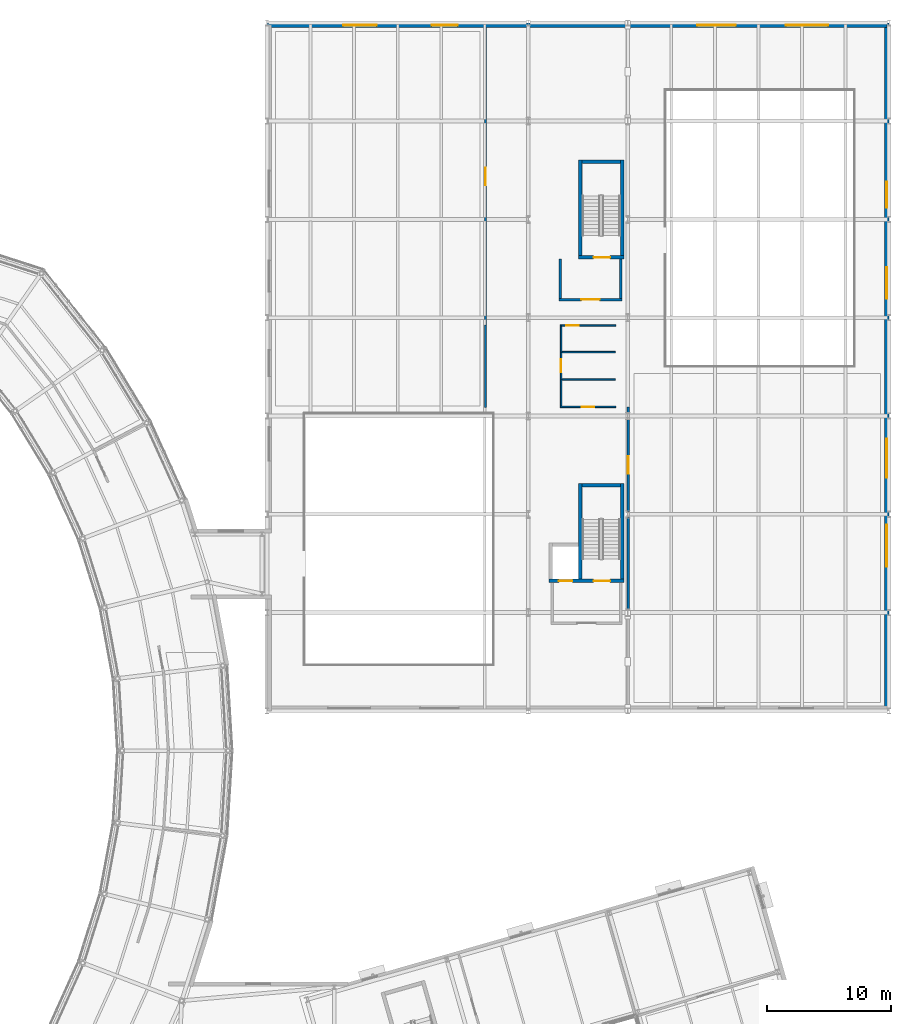
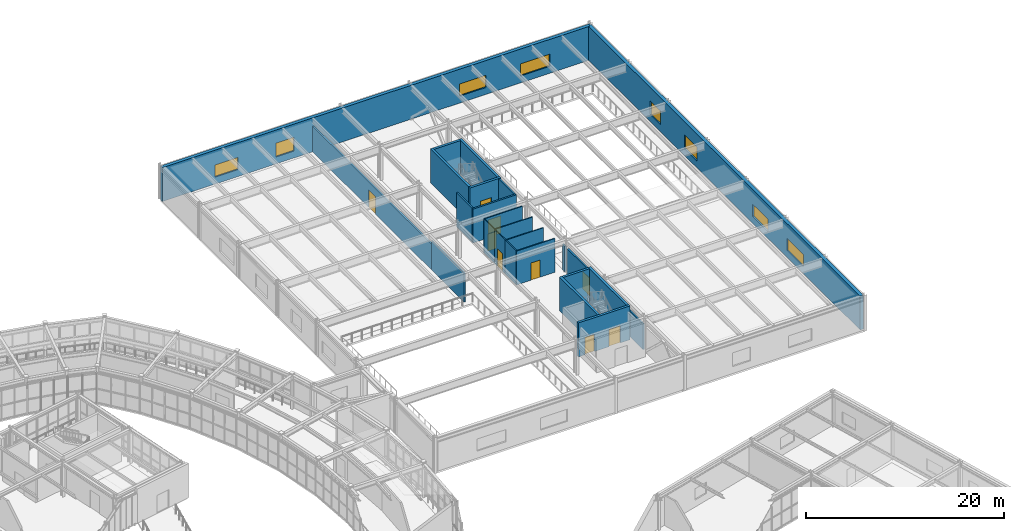
# One storey, part 83 of 103: 25 walls, 9 doors, 8 windows, 17 openings.
"""IFC4 building model written with IfcOpenShell, lengths in metres."""

from ifc_helpers import new_model, si_unit, direction, frame, frame_2d, origin, place, context, subcontext, project, spatial, rectangle, extrude, material, layer, layer_set, type_object, element, fill, save


model = new_model("IFC4")

# Units and contexts
model_context = context("Model", 3, precision=1e-05, world=origin(), true_north=direction((0.0, 1.0)))
body_context = subcontext(model_context, "Body", "Model", "MODEL_VIEW")
ifc_project = project(units=[si_unit("LENGTHUNIT", "METRE"), si_unit("AREAUNIT", "SQUARE_METRE"), si_unit("VOLUMEUNIT", "CUBIC_METRE"), si_unit("PLANEANGLEUNIT", "RADIAN"), si_unit("MASSUNIT", "GRAM", prefix="KILO")], contexts=[model_context])

# Site, building, storey
site_placement = place(None, origin())
site = spatial("IfcSite", under=ifc_project, at=site_placement, CompositionType="ELEMENT")
building_placement = place(site_placement, origin())
building = spatial("IfcBuilding", under=site, at=building_placement, Name="Varnklinge Art Gallery", CompositionType="ELEMENT")
storey_placement = place(building_placement, frame((0.0, 0.0, 5.10009765625)))
storey = spatial("IfcBuildingStorey", under=building, at=storey_placement, Name="L01", CompositionType="ELEMENT", Elevation=5.10009765625)

# Wall, openings, windows
ifc_material_1 = material(Name="Concrete C40/50", Category="concrete")
ifc_layer_1 = layer(ifc_material_1, 0.3798828125)
ifc_layer_set_1 = layer_set([ifc_layer_1], Name="Concrete C40/50")
wall_type_1 = type_object("IfcWallType", Name="EW-38", PredefinedType="SOLIDWALL", material=ifc_layer_set_1)
wall_1_placement = place(storey_placement, frame((114.39990234375, 113.31005859375, 0.0), z_axis=(0.0, 0.0, 1.0), x_axis=(1.0, 0.0, 0.0)))
wall_1 = element("IfcWall", 1, at=wall_1_placement, inside=storey, type_object=wall_type_1, Name="L01 Exterior Wall EW-V1-L01-03", PredefinedType="SOLIDWALL", context=body_context, shape_type="SweptSolid", body=[
    extrude(rectangle(XDim=49.81005859375, YDim=0.3798828125, at=frame_2d((24.905029296875, 0.0))), origin(), (0.0, 0.0, 1.0), 4.169921875),
])
opening_1_placement = place(wall_1_placement, frame((6.11572265625, 0.0, 0.85009765625)))
opening_1 = element("IfcOpeningElement", 2, at=opening_1_placement, cuts=wall_1, Name="Opening WN-08", PredefinedType="OPENING", context=body_context, shape_type="SweptSolid", body=[
    extrude(rectangle(XDim=2.699951171875, YDim=1.5, at=frame_2d((1.35009765625, 0.75))), frame((0.0, 0.199951171875, 0.0), z_axis=(0.0, -1.0, 0.0), x_axis=(1.0, 0.0, 0.0)), (0.0, 0.0, 1.0), 0.39990234375),
])
opening_2_placement = place(wall_1_placement, frame((13.2314453125, 0.0, 0.85009765625)))
opening_2 = element("IfcOpeningElement", 3, at=opening_2_placement, cuts=wall_1, Name="Opening WN-12", PredefinedType="OPENING", context=body_context, shape_type="SweptSolid", body=[
    extrude(rectangle(XDim=2.10009765625, YDim=1.699951171875, at=frame_2d((1.050048828125, 0.85009765625))), frame((0.0, 0.199951171875, 0.0), z_axis=(0.0, -1.0, 0.0), x_axis=(1.0, 0.0, 0.0)), (0.0, 0.0, 1.0), 0.39990234375),
])
opening_3_placement = place(wall_1_placement, frame((34.57861328125, 0.0, 0.85009765625)))
opening_3 = element("IfcOpeningElement", 4, at=opening_3_placement, cuts=wall_1, Name="Opening WN-19", PredefinedType="OPENING", context=body_context, shape_type="SweptSolid", body=[
    extrude(rectangle(XDim=3.10009765625, YDim=1.5, at=frame_2d((1.550048828125, 0.75))), frame((0.0, 0.199951171875, 0.0), z_axis=(0.0, -1.0, 0.0), x_axis=(1.0, 0.0, 0.0)), (0.0, 0.0, 1.0), 0.39990234375),
])
opening_4_placement = place(wall_1_placement, frame((41.6943359375, 0.0, 0.85009765625)))
opening_4 = element("IfcOpeningElement", 5, at=opening_4_placement, cuts=wall_1, Name="Opening WN-20", PredefinedType="OPENING", context=body_context, shape_type="SweptSolid", body=[
    extrude(rectangle(XDim=3.39990234375, YDim=1.5, at=frame_2d((1.699951171875, 0.75))), frame((0.0, 0.199951171875, 0.0), z_axis=(0.0, -1.0, 0.0), x_axis=(1.0, 0.0, 0.0)), (0.0, 0.0, 1.0), 0.39990234375),
])
ifc_material_2 = material(Name="Insulated Low-E Triple Glazing", Category="glass")
window_type_1 = type_object("IfcWindowType", Name="WN-08", PartitioningType="SINGLE_PANEL", PredefinedType="WINDOW", material=ifc_material_2)
window_1_placement = place(opening_1_placement, origin())
window_1 = element("IfcWindow", 6, at=window_1_placement, inside=storey, type_object=window_type_1, Name="L01 Window WIN-L01-017", OverallHeight=1.5, OverallWidth=2.699951171875, PartitioningType="SINGLE_PANEL", PredefinedType="WINDOW", context=body_context, shape_type="SweptSolid", body=[
    extrude(rectangle(XDim=2.699951171875, YDim=1.5, at=frame_2d((1.35009765625, 0.75))), frame((0.0, 0.030029296875, 0.0), z_axis=(0.0, -1.0, 0.0), x_axis=(1.0, 0.0, 0.0)), (0.0, 0.0, 1.0), 0.06005859375),
])
fill(opening_1, window_1)
ifc_material_3 = material(Name="Insulated Low-E Triple Glazing", Category="glass")
window_type_2 = type_object("IfcWindowType", Name="WN-12", PartitioningType="SINGLE_PANEL", PredefinedType="WINDOW", material=ifc_material_3)
window_2_placement = place(opening_2_placement, origin())
window_2 = element("IfcWindow", 7, at=window_2_placement, inside=storey, type_object=window_type_2, Name="L01 Window WIN-L01-018", OverallHeight=1.699951171875, OverallWidth=2.10009765625, PartitioningType="SINGLE_PANEL", PredefinedType="WINDOW", context=body_context, shape_type="SweptSolid", body=[
    extrude(rectangle(XDim=2.10009765625, YDim=1.699951171875, at=frame_2d((1.050048828125, 0.85009765625))), frame((0.0, 0.030029296875, 0.0), z_axis=(0.0, -1.0, 0.0), x_axis=(1.0, 0.0, 0.0)), (0.0, 0.0, 1.0), 0.06005859375),
])
fill(opening_2, window_2)
ifc_material_4 = material(Name="Insulated Low-E Triple Glazing", Category="glass")
window_type_3 = type_object("IfcWindowType", Name="WN-19", PartitioningType="SINGLE_PANEL", PredefinedType="WINDOW", material=ifc_material_4)
window_3_placement = place(opening_3_placement, origin())
window_3 = element("IfcWindow", 8, at=window_3_placement, inside=storey, type_object=window_type_3, Name="L01 Window WIN-L01-019", OverallHeight=1.5, OverallWidth=3.10009765625, PartitioningType="SINGLE_PANEL", PredefinedType="WINDOW", context=body_context, shape_type="SweptSolid", body=[
    extrude(rectangle(XDim=3.10009765625, YDim=1.5, at=frame_2d((1.550048828125, 0.75))), frame((0.0, 0.030029296875, 0.0), z_axis=(0.0, -1.0, 0.0), x_axis=(1.0, 0.0, 0.0)), (0.0, 0.0, 1.0), 0.06005859375),
])
fill(opening_3, window_3)
ifc_material_5 = material(Name="Insulated Low-E Triple Glazing", Category="glass")
window_type_4 = type_object("IfcWindowType", Name="WN-20", PartitioningType="SINGLE_PANEL", PredefinedType="WINDOW", material=ifc_material_5)
window_4_placement = place(opening_4_placement, origin())
window_4 = element("IfcWindow", 9, at=window_4_placement, inside=storey, type_object=window_type_4, Name="L01 Window WIN-L01-020", OverallHeight=1.5, OverallWidth=3.39990234375, PartitioningType="SINGLE_PANEL", PredefinedType="WINDOW", context=body_context, shape_type="SweptSolid", body=[
    extrude(rectangle(XDim=3.39990234375, YDim=1.5, at=frame_2d((1.699951171875, 0.75))), frame((0.0, 0.030029296875, 0.0), z_axis=(0.0, -1.0, 0.0), x_axis=(1.0, 0.0, 0.0)), (0.0, 0.0, 1.0), 0.06005859375),
])
fill(opening_4, window_4)

wall_2_placement = place(storey_placement, frame((164.2099609375, 113.5, 0.0), z_axis=(0.0, 0.0, 1.0), x_axis=(0.0, -1.0, 0.0)))
wall_2 = element("IfcWall", 10, at=wall_2_placement, inside=storey, type_object=wall_type_1, Name="L01 Exterior Wall EW-V1-L01-04", PredefinedType="SOLIDWALL", context=body_context, shape_type="SweptSolid", body=[
    extrude(rectangle(XDim=55.110107421875, YDim=0.3798828125, at=frame_2d((27.55517578125, 0.0))), origin(), (0.0, 0.0, 1.0), 4.169921875),
])
opening_5_placement = place(wall_2_placement, frame((12.777587890625, 0.0, 0.85009765625)))
opening_5 = element("IfcOpeningElement", 11, at=opening_5_placement, cuts=wall_2, Name="Opening WN-12", PredefinedType="OPENING", context=body_context, shape_type="SweptSolid", body=[
    extrude(rectangle(XDim=2.10009765625, YDim=1.699951171875, at=frame_2d((1.050048828125, 0.85009765625))), frame((0.0, 0.199951171875, 0.0), z_axis=(0.0, -1.0, 0.0), x_axis=(1.0, 0.0, 0.0)), (0.0, 0.0, 1.0), 0.39990234375),
])
opening_6_placement = place(wall_2_placement, frame((19.666259765625, 0.0, 0.85009765625)))
opening_6 = element("IfcOpeningElement", 12, at=opening_6_placement, cuts=wall_2, Name="Opening WN-13", PredefinedType="OPENING", context=body_context, shape_type="SweptSolid", body=[
    extrude(rectangle(XDim=2.5, YDim=1.699951171875, at=frame_2d((1.25, 0.85009765625))), frame((0.0, 0.199951171875, 0.0), z_axis=(0.0, -1.0, 0.0), x_axis=(1.0, 0.0, 0.0)), (0.0, 0.0, 1.0), 0.39990234375),
])
opening_7_placement = place(wall_2_placement, frame((33.44384765625, 0.0, 0.85009765625)))
opening_7 = element("IfcOpeningElement", 13, at=opening_7_placement, cuts=wall_2, Name="Opening WN-19", PredefinedType="OPENING", context=body_context, shape_type="SweptSolid", body=[
    extrude(rectangle(XDim=3.10009765625, YDim=1.5, at=frame_2d((1.550048828125, 0.75))), frame((0.0, 0.199951171875, 0.0), z_axis=(0.0, -1.0, 0.0), x_axis=(1.0, 0.0, 0.0)), (0.0, 0.0, 1.0), 0.39990234375),
])
opening_8_placement = place(wall_2_placement, frame((40.33251953125, 0.0, 0.85009765625)))
opening_8 = element("IfcOpeningElement", 14, at=opening_8_placement, cuts=wall_2, Name="Opening WN-20", PredefinedType="OPENING", context=body_context, shape_type="SweptSolid", body=[
    extrude(rectangle(XDim=3.39990234375, YDim=1.5, at=frame_2d((1.699951171875, 0.75))), frame((0.0, 0.199951171875, 0.0), z_axis=(0.0, -1.0, 0.0), x_axis=(1.0, 0.0, 0.0)), (0.0, 0.0, 1.0), 0.39990234375),
])
window_5_placement = place(opening_5_placement, origin())
window_5 = element("IfcWindow", 15, at=window_5_placement, inside=storey, type_object=window_type_2, Name="L01 Window WIN-L01-021", OverallHeight=1.699951171875, OverallWidth=2.10009765625, PartitioningType="SINGLE_PANEL", PredefinedType="WINDOW", context=body_context, shape_type="SweptSolid", body=[
    extrude(rectangle(XDim=2.10009765625, YDim=1.699951171875, at=frame_2d((1.050048828125, 0.85009765625))), frame((0.0, 0.030029296875, 0.0), z_axis=(0.0, -1.0, 0.0), x_axis=(1.0, 0.0, 0.0)), (0.0, 0.0, 1.0), 0.06005859375),
])
fill(opening_5, window_5)
ifc_material_6 = material(Name="Insulated Low-E Triple Glazing", Category="glass")
window_type_5 = type_object("IfcWindowType", Name="WN-13", PartitioningType="SINGLE_PANEL", PredefinedType="WINDOW", material=ifc_material_6)
window_6_placement = place(opening_6_placement, origin())
window_6 = element("IfcWindow", 16, at=window_6_placement, inside=storey, type_object=window_type_5, Name="L01 Window WIN-L01-022", OverallHeight=1.699951171875, OverallWidth=2.5, PartitioningType="SINGLE_PANEL", PredefinedType="WINDOW", context=body_context, shape_type="SweptSolid", body=[
    extrude(rectangle(XDim=2.5, YDim=1.699951171875, at=frame_2d((1.25, 0.85009765625))), frame((0.0, 0.030029296875, 0.0), z_axis=(0.0, -1.0, 0.0), x_axis=(1.0, 0.0, 0.0)), (0.0, 0.0, 1.0), 0.06005859375),
])
fill(opening_6, window_6)
window_7_placement = place(opening_7_placement, origin())
window_7 = element("IfcWindow", 17, at=window_7_placement, inside=storey, type_object=window_type_3, Name="L01 Window WIN-L01-023", OverallHeight=1.5, OverallWidth=3.10009765625, PartitioningType="SINGLE_PANEL", PredefinedType="WINDOW", context=body_context, shape_type="SweptSolid", body=[
    extrude(rectangle(XDim=3.10009765625, YDim=1.5, at=frame_2d((1.550048828125, 0.75))), frame((0.0, 0.030029296875, 0.0), z_axis=(0.0, -1.0, 0.0), x_axis=(1.0, 0.0, 0.0)), (0.0, 0.0, 1.0), 0.06005859375),
])
fill(opening_7, window_7)
window_8_placement = place(opening_8_placement, origin())
window_8 = element("IfcWindow", 18, at=window_8_placement, inside=storey, type_object=window_type_4, Name="L01 Window WIN-L01-024", OverallHeight=1.5, OverallWidth=3.39990234375, PartitioningType="SINGLE_PANEL", PredefinedType="WINDOW", context=body_context, shape_type="SweptSolid", body=[
    extrude(rectangle(XDim=3.39990234375, YDim=1.5, at=frame_2d((1.699951171875, 0.75))), frame((0.0, 0.030029296875, 0.0), z_axis=(0.0, -1.0, 0.0), x_axis=(1.0, 0.0, 0.0)), (0.0, 0.0, 1.0), 0.06005859375),
])
fill(opening_8, window_8)

# Wall, opening, door
ifc_material_7 = material(Name="Gypsum Board Partition", Category="gypsum")
ifc_layer_2 = layer(ifc_material_7, 0.1201171875)
ifc_layer_set_2 = layer_set([ifc_layer_2], Name="Gypsum Board Partition")
wall_type_2 = type_object("IfcWallType", Name="IW-12", PredefinedType="PARTITIONING", material=ifc_layer_set_2)
wall_3_placement = place(storey_placement, frame((137.969970703125, 82.6298828125, 0.0), z_axis=(0.0, 0.0, 1.0), x_axis=(1.0, 0.0, 0.0)))
wall_3 = element("IfcWall", 19, at=wall_3_placement, inside=storey, type_object=wall_type_2, Name="L01 Partition Wall IW-L01-0159", PredefinedType="PARTITIONING", context=body_context, shape_type="SweptSolid", body=[
    extrude(rectangle(XDim=4.4599609375, YDim=0.1201171875, at=frame_2d((2.22998046875, 0.0))), origin(), (0.0, 0.0, 1.0), 4.159912109375),
])
opening_9_placement = place(wall_3_placement, frame((1.719970703125, 0.0, 0.0)))
opening_9 = element("IfcOpeningElement", 20, at=opening_9_placement, cuts=wall_3, Name="Opening D-L01-178", PredefinedType="OPENING", context=body_context, shape_type="SweptSolid", body=[
    extrude(rectangle(XDim=1.02001953125, YDim=2.1201171875, at=frame_2d((0.510009765625, 1.06005859375))), frame((0.0, 0.070068359375, 0.0), z_axis=(0.0, -1.0, 0.0), x_axis=(1.0, 0.0, 0.0)), (0.0, 0.0, 1.0), 0.14013671875),
])
ifc_material_8 = material(Name="Oak Timber Leaf", Category="wood")
door_type_1 = type_object("IfcDoorType", Name="ID-03", OperationType="SINGLE_SWING_LEFT", PredefinedType="DOOR", material=ifc_material_8)
door_1_placement = place(opening_9_placement, origin())
door_1 = element("IfcDoor", 21, at=door_1_placement, inside=storey, type_object=door_type_1, Name="L01 L01 Accessible WC East Door D-L01-178", OperationType="SINGLE_SWING_RIGHT", OverallHeight=2.1201171875, OverallWidth=1.02001953125, PredefinedType="DOOR", context=body_context, shape_type="SweptSolid", body=[
    extrude(rectangle(XDim=1.02001953125, YDim=2.1201171875, at=frame_2d((0.510009765625, 1.06005859375))), frame((0.0, 0.02490234375, 0.0), z_axis=(0.0, -1.0, 0.0), x_axis=(1.0, 0.0, 0.0)), (0.0, 0.0, 1.0), 0.050048828125),
])
fill(opening_9, door_1)

wall_4_placement = place(storey_placement, frame((142.429931640625, 89.169921875, 0.0), z_axis=(0.0, 0.0, 1.0), x_axis=(-1.0, 0.0, 0.0)))
wall_4 = element("IfcWall", 22, at=wall_4_placement, inside=storey, type_object=wall_type_2, Name="L01 Partition Wall IW-L01-0164", PredefinedType="PARTITIONING", context=body_context, shape_type="SweptSolid", body=[
    extrude(rectangle(XDim=4.4599609375, YDim=0.1201171875, at=frame_2d((2.22998046875, 0.0))), origin(), (0.0, 0.0, 1.0), 4.159912109375),
])
opening_10_placement = place(wall_4_placement, frame((2.96875, 0.0, 0.0)))
opening_10 = element("IfcOpeningElement", 23, at=opening_10_placement, cuts=wall_4, Name="Opening D-L01-180", PredefinedType="OPENING", context=body_context, shape_type="SweptSolid", body=[
    extrude(rectangle(XDim=1.02001953125, YDim=2.1201171875, at=frame_2d((0.510009765625, 1.06005859375))), frame((0.0, 0.070068359375, 0.0), z_axis=(0.0, -1.0, 0.0), x_axis=(1.0, 0.0, 0.0)), (0.0, 0.0, 1.0), 0.14013671875),
])
door_2_placement = place(opening_10_placement, origin())
door_2 = element("IfcDoor", 24, at=door_2_placement, inside=storey, type_object=door_type_1, Name="L01 L01 Public Male Toilet Door D-L01-180", OperationType="SINGLE_SWING_RIGHT", OverallHeight=2.1201171875, OverallWidth=1.02001953125, PredefinedType="DOOR", context=body_context, shape_type="SweptSolid", body=[
    extrude(rectangle(XDim=1.02001953125, YDim=2.1201171875, at=frame_2d((0.510009765625, 1.06005859375))), frame((0.0, 0.02490234375, 0.0), z_axis=(0.0, -1.0, 0.0), x_axis=(1.0, 0.0, 0.0)), (0.0, 0.0, 1.0), 0.050048828125),
])
fill(opening_10, door_2)

# Wall
wall_5_placement = place(storey_placement, frame((138.030029296875, 84.830078125, 0.0), z_axis=(0.0, 0.0, 1.0), x_axis=(0.0, -1.0, 0.0)))
element("IfcWall", 25, at=wall_5_placement, inside=storey, type_object=wall_type_2, Name="L01 Partition Wall IW-L01-0166", PredefinedType="PARTITIONING", context=body_context, shape_type="SweptSolid", body=[
    extrude(rectangle(XDim=2.125, YDim=0.1201171875, at=frame_2d((1.0625, 0.0))), origin(), (0.0, 0.0, 1.0), 4.159912109375),
])

# Wall, opening, door
wall_6_placement = place(storey_placement, frame((138.030029296875, 87.030029296875, 0.0), z_axis=(0.0, 0.0, 1.0), x_axis=(0.0, -1.0, 0.0)))
wall_6 = element("IfcWall", 26, at=wall_6_placement, inside=storey, type_object=wall_type_2, Name="L01 Partition Wall IW-L01-0167", PredefinedType="PARTITIONING", context=body_context, shape_type="SweptSolid", body=[
    extrude(rectangle(XDim=2.199951171875, YDim=0.1201171875, at=frame_2d((1.10009765625, 0.0))), origin(), (0.0, 0.0, 1.0), 4.159912109375),
])
opening_11_placement = place(wall_6_placement, frame((0.590087890625, 0.0, 0.0)))
opening_11 = element("IfcOpeningElement", 27, at=opening_11_placement, cuts=wall_6, Name="Opening D-L01-182", PredefinedType="OPENING", context=body_context, shape_type="SweptSolid", body=[
    extrude(rectangle(XDim=1.02001953125, YDim=2.1201171875, at=frame_2d((0.510009765625, 1.06005859375))), frame((0.0, 0.070068359375, 0.0), z_axis=(0.0, -1.0, 0.0), x_axis=(1.0, 0.0, 0.0)), (0.0, 0.0, 1.0), 0.14013671875),
])
door_3_placement = place(opening_11_placement, origin())
door_3 = element("IfcDoor", 28, at=door_3_placement, inside=storey, type_object=door_type_1, Name="L01 L01 Public Female Toilet Door D-L01-182", OperationType="SINGLE_SWING_RIGHT", OverallHeight=2.1201171875, OverallWidth=1.02001953125, PredefinedType="DOOR", context=body_context, shape_type="SweptSolid", body=[
    extrude(rectangle(XDim=1.02001953125, YDim=2.1201171875, at=frame_2d((0.510009765625, 1.06005859375))), frame((0.0, 0.02490234375, 0.0), z_axis=(0.0, -1.0, 0.0), x_axis=(1.0, 0.0, 0.0)), (0.0, 0.0, 1.0), 0.050048828125),
])
fill(opening_11, door_3)

# Walls
wall_7_placement = place(storey_placement, frame((138.030029296875, 89.094970703125, 0.0), z_axis=(0.0, 0.0, 1.0), x_axis=(0.0, -1.0, 0.0)))
element("IfcWall", 29, at=wall_7_placement, inside=storey, type_object=wall_type_2, Name="L01 Partition Wall IW-L01-0168", PredefinedType="PARTITIONING", context=body_context, shape_type="SweptSolid", body=[
    extrude(rectangle(XDim=2.06494140625, YDim=0.1201171875, at=frame_2d((1.032470703125, 0.0))), origin(), (0.0, 0.0, 1.0), 4.159912109375),
])
for number, where, z_axis, x_axis, name in (
    (30, (138.10498046875, 84.830078125, 0.0), (0.0, 0.0, 1.0), (1.0, 0.0, 0.0), "L01 Partition Wall IW-L01-0238"),
    (31, (138.10498046875, 87.030029296875, 0.0), (0.0, 0.0, 1.0), (1.0, 0.0, 0.0), "L01 Partition Wall IW-L01-0239"),
):
    element("IfcWall", number, at=place(storey_placement, frame(where, z_axis=z_axis, x_axis=x_axis)), inside=storey, type_object=wall_type_2, Name=name, PredefinedType="PARTITIONING", context=body_context, shape_type="SweptSolid", body=[
        extrude(rectangle(XDim=4.294921875, YDim=0.1201171875, at=frame_2d((2.1474609375, 0.0))), origin(), (0.0, 0.0, 1.0), 4.159912109375),
    ])

# Wall, opening, door
ifc_material_9 = material(Name="Gypsum Board Partition", Category="gypsum")
ifc_layer_3 = layer(ifc_material_9, 0.179931640625)
ifc_layer_set_3 = layer_set([ifc_layer_3], Name="Gypsum Board Partition")
wall_type_3 = type_object("IfcWallType", Name="IW-18", PredefinedType="PARTITIONING", material=ifc_layer_set_3)
wall_8_placement = place(storey_placement, frame((143.429931640625, 81.662109375, 0.0), z_axis=(0.0, 0.0, 1.0), x_axis=(0.0, -1.0, 0.0)))
wall_8 = element("IfcWall", 32, at=wall_8_placement, inside=storey, type_object=wall_type_3, Name="L01 Partition Wall IW-L01-0160", PredefinedType="PARTITIONING", context=body_context, shape_type="SweptSolid", body=[
    extrude(rectangle(XDim=7.42431640625, YDim=0.179931640625, at=frame_2d((3.712158203125, 0.0))), origin(), (0.0, 0.0, 1.0), 3.14990234375),
])
opening_12_placement = place(wall_8_placement, frame((3.002197265625, 0.0, 0.0)))
opening_12 = element("IfcOpeningElement", 33, at=opening_12_placement, cuts=wall_8, Name="Opening D-L01-179", PredefinedType="OPENING", context=body_context, shape_type="SweptSolid", body=[
    extrude(rectangle(XDim=1.419921875, YDim=2.179931640625, at=frame_2d((0.7099609375, 1.08984375))), frame((0.0, 0.099853515625, 0.0), z_axis=(0.0, -1.0, 0.0), x_axis=(1.0, 0.0, 0.0)), (0.0, 0.0, 1.0), 0.199951171875),
])
ifc_material_10 = material(Name="Oak Timber Leaf", Category="wood")
door_type_2 = type_object("IfcDoorType", Name="ID-07", OperationType="DOUBLE_DOOR_SINGLE_SWING", PredefinedType="DOOR", material=ifc_material_10)
door_4_placement = place(opening_12_placement, origin())
door_4 = element("IfcDoor", 34, at=door_4_placement, inside=storey, type_object=door_type_2, Name="L01 L01 Works-on-Paper Graphic Cabinet Door D-L01-179", OperationType="DOUBLE_DOOR_SINGLE_SWING", OverallHeight=2.179931640625, OverallWidth=1.419921875, PredefinedType="DOOR", context=body_context, shape_type="SweptSolid", body=[
    extrude(rectangle(XDim=1.419921875, YDim=2.179931640625, at=frame_2d((0.7099609375, 1.08984375))), frame((0.0, 0.02490234375, 0.0), z_axis=(0.0, -1.0, 0.0), x_axis=(1.0, 0.0, 0.0)), (0.0, 0.0, 1.0), 0.050048828125),
])
fill(opening_12, door_4)

# Walls
wall_9_placement = place(storey_placement, frame((143.429931640625, 73.76220703125, 0.0), z_axis=(0.0, 0.0, 1.0), x_axis=(0.0, -1.0, 0.0)))
element("IfcWall", 35, at=wall_9_placement, inside=storey, type_object=wall_type_3, Name="L01 Partition Wall IW-L01-0161", PredefinedType="PARTITIONING", context=body_context, shape_type="SweptSolid", body=[
    extrude(rectangle(XDim=7.42431640625, YDim=0.179931640625, at=frame_2d((3.712158203125, 0.0))), origin(), (0.0, 0.0, 1.0), 3.14990234375),
])
wall_10_placement = place(storey_placement, frame((143.429931640625, 82.602783203125, 0.0), z_axis=(0.0, 0.0, 1.0), x_axis=(0.0, -1.0, 0.0)))
element("IfcWall", 36, at=wall_10_placement, inside=storey, type_object=wall_type_3, Name="L01 Partition Wall IW-L01-0163", PredefinedType="PARTITIONING", context=body_context, shape_type="SweptSolid", body=[
    extrude(rectangle(XDim=0.46484375, YDim=0.179931640625, at=frame_2d((0.232421875, 0.0))), origin(), (0.0, 0.0, 1.0), 3.14990234375),
])

# Wall, opening, door
wall_11_placement = place(storey_placement, frame((131.969970703125, 89.199951171875, 0.0), z_axis=(0.0, 0.0, 1.0), x_axis=(0.0, 1.0, 0.0)))
wall_11 = element("IfcWall", 37, at=wall_11_placement, inside=storey, type_object=wall_type_3, Name="L01 Partition Wall IW-L01-0165", PredefinedType="PARTITIONING", context=body_context, shape_type="SweptSolid", body=[
    extrude(rectangle(XDim=23.916015625, YDim=0.179931640625, at=frame_2d((11.9580078125, 0.0))), origin(), (0.0, 0.0, 1.0), 3.14990234375),
])
opening_13_placement = place(wall_11_placement, frame((11.248046875, 0.0, 0.0)))
opening_13 = element("IfcOpeningElement", 38, at=opening_13_placement, cuts=wall_11, Name="Opening D-L01-181", PredefinedType="OPENING", context=body_context, shape_type="SweptSolid", body=[
    extrude(rectangle(XDim=1.419921875, YDim=2.179931640625, at=frame_2d((0.7099609375, 1.08984375))), frame((0.0, 0.099853515625, 0.0), z_axis=(0.0, -1.0, 0.0), x_axis=(1.0, 0.0, 0.0)), (0.0, 0.0, 1.0), 0.199951171875),
])
door_5_placement = place(opening_13_placement, origin())
door_5 = element("IfcDoor", 39, at=door_5_placement, inside=storey, type_object=door_type_2, Name="L01 L01 Viewing Mezzanine Gallery West Door D-L01-181", OperationType="DOUBLE_DOOR_SINGLE_SWING", OverallHeight=2.179931640625, OverallWidth=1.419921875, PredefinedType="DOOR", context=body_context, shape_type="SweptSolid", body=[
    extrude(rectangle(XDim=1.419921875, YDim=2.179931640625, at=frame_2d((0.7099609375, 1.08984375))), frame((0.0, 0.02490234375, 0.0), z_axis=(0.0, -1.0, 0.0), x_axis=(1.0, 0.0, 0.0)), (0.0, 0.0, 1.0), 0.050048828125),
])
fill(opening_13, door_5)

# Walls
wall_12_placement = place(storey_placement, frame((131.969970703125, 82.60009765625, 0.0), z_axis=(0.0, 0.0, 1.0), x_axis=(0.0, 1.0, 0.0)))
element("IfcWall", 40, at=wall_12_placement, inside=storey, type_object=wall_type_3, Name="L01 Partition Wall IW-L01-0169", PredefinedType="PARTITIONING", context=body_context, shape_type="SweptSolid", body=[
    extrude(rectangle(XDim=6.599853515625, YDim=0.179931640625, at=frame_2d((3.2998046875, 0.0))), origin(), (0.0, 0.0, 1.0), 3.5498046875),
])
ifc_material_11 = material(Name="Concrete C40/50", Category="concrete")
ifc_layer_4 = layer(ifc_material_11, 0.199951171875)
ifc_layer_set_4 = layer_set([ifc_layer_4], Name="Concrete C40/50")
wall_type_4 = type_object("IfcWallType", Name="IW-20", PredefinedType="PARTITIONING", material=ifc_layer_set_4)
for number, where, z_axis, x_axis, name in (
    (41, (142.85009765625, 91.35009765625, 0.0), (0.0, 0.0, 1.0), (0.0, 1.0, 0.0), "L01 Core C7 Lobby South Wall"),
    (42, (137.949951171875, 94.5, 0.0), (0.0, 0.0, 1.0), (0.0, -1.0, 0.0), "L01 Core C7 Lobby North Wall"),
):
    element("IfcWall", number, at=place(storey_placement, frame(where, z_axis=z_axis, x_axis=x_axis)), inside=storey, type_object=wall_type_4, Name=name, PredefinedType="PARTITIONING", context=body_context, shape_type="SweptSolid", body=[
        extrude(rectangle(XDim=3.14990234375, YDim=0.199951171875, at=frame_2d((1.574951171875, 0.0))), origin(), (0.0, 0.0, 1.0), 4.169921875),
    ])

# Wall, opening, door
wall_13_placement = place(storey_placement, frame((142.949951171875, 91.25, 0.0), z_axis=(0.0, 0.0, 1.0), x_axis=(-1.0, 0.0, 0.0)))
wall_13 = element("IfcWall", 43, at=wall_13_placement, inside=storey, type_object=wall_type_4, Name="L01 Core C7 Lobby Corridor Wall", PredefinedType="PARTITIONING", context=body_context, shape_type="SweptSolid", body=[
    extrude(rectangle(XDim=5.099853515625, YDim=0.199951171875, at=frame_2d((2.5498046875, 0.0))), origin(), (0.0, 0.0, 1.0), 4.169921875),
])
opening_14_placement = place(wall_13_placement, frame((1.81005859375, 0.0, 0.0)))
opening_14 = element("IfcOpeningElement", 44, at=opening_14_placement, cuts=wall_13, Name="Opening D-L01-105", PredefinedType="OPENING", context=body_context, shape_type="SweptSolid", body=[
    extrude(rectangle(XDim=1.47998046875, YDim=2.14990234375, at=frame_2d((0.739990234375, 1.074951171875))), frame((0.0, 0.110107421875, 0.0), z_axis=(0.0, -1.0, 0.0), x_axis=(1.0, 0.0, 0.0)), (0.0, 0.0, 1.0), 0.219970703125),
])
ifc_material_12 = material(Name="Galvanised Fire-Rated Steel", Category="steel")
door_type_3 = type_object("IfcDoorType", Name="ID-LB1", OperationType="DOUBLE_DOOR_SINGLE_SWING", PredefinedType="DOOR", material=ifc_material_12)
door_6_placement = place(opening_14_placement, origin())
door_6 = element("IfcDoor", 45, at=door_6_placement, inside=storey, type_object=door_type_3, Name="L01 Core C7 Protected Lobby Door D-L01-105", OperationType="DOUBLE_DOOR_SINGLE_SWING", OverallHeight=2.14990234375, OverallWidth=1.47998046875, PredefinedType="DOOR", context=body_context, shape_type="SweptSolid", body=[
    extrude(rectangle(XDim=1.47998046875, YDim=2.14990234375, at=frame_2d((0.739990234375, 1.074951171875))), frame((0.0, 0.02490234375, 0.0), z_axis=(0.0, -1.0, 0.0), x_axis=(1.0, 0.0, 0.0)), (0.0, 0.0, 1.0), 0.050048828125),
])
fill(opening_14, door_6)

# Walls
ifc_material_13 = material(Name="Concrete C40/50", Category="concrete")
ifc_layer_5 = layer(ifc_material_13, 0.280029296875)
ifc_layer_set_5 = layer_set([ifc_layer_5], Name="Concrete C40/50")
wall_type_5 = type_object("IfcWallType", Name="SW-28", PredefinedType="SHEAR", material=ifc_layer_set_5)
wall_14_placement = place(storey_placement, frame((142.949951171875, 68.7900390625, 0.0), z_axis=(0.0, 0.0, 1.0), x_axis=(0.0, 1.0, 0.0)))
element("IfcWall", 46, at=wall_14_placement, inside=storey, type_object=wall_type_5, Name="L01 Core C3 South Shear Wall", PredefinedType="SHEAR", context=body_context, shape_type="SweptSolid", body=[
    extrude(rectangle(XDim=7.699951171875, YDim=0.280029296875, at=frame_2d((3.85009765625, 0.0))), origin(), (0.0, 0.0, 1.0), 4.169921875),
])
wall_15_placement = place(storey_placement, frame((142.81005859375, 76.35009765625, 0.0), z_axis=(0.0, 0.0, 1.0), x_axis=(-1.0, 0.0, 0.0)))
element("IfcWall", 47, at=wall_15_placement, inside=storey, type_object=wall_type_5, Name="L01 Core C3 East Shear Wall", PredefinedType="SHEAR", context=body_context, shape_type="SweptSolid", body=[
    extrude(rectangle(XDim=3.080078125, YDim=0.280029296875, at=frame_2d((1.5400390625, 0.0))), origin(), (0.0, 0.0, 1.0), 4.169921875),
])
wall_16_placement = place(storey_placement, frame((139.590087890625, 76.489990234375, 0.0), z_axis=(0.0, 0.0, 1.0), x_axis=(0.0, -1.0, 0.0)))
element("IfcWall", 48, at=wall_16_placement, inside=storey, type_object=wall_type_5, Name="L01 Core C3 Dividing Shear Wall", PredefinedType="SHEAR", context=body_context, shape_type="SweptSolid", body=[
    extrude(rectangle(XDim=7.699951171875, YDim=0.280029296875, at=frame_2d((3.85009765625, 0.0))), origin(), (0.0, 0.0, 1.0), 4.169921875),
])

# Wall, openings, doors
wall_17_placement = place(storey_placement, frame((137.050048828125, 68.64990234375, 0.0), z_axis=(0.0, 0.0, 1.0), x_axis=(1.0, 0.0, 0.0)))
wall_17 = element("IfcWall", 49, at=wall_17_placement, inside=storey, type_object=wall_type_5, Name="L01 Core C3 Front Shear Wall", PredefinedType="SHEAR", context=body_context, shape_type="SweptSolid", body=[
    extrude(rectangle(XDim=6.0400390625, YDim=0.280029296875, at=frame_2d((3.02001953125, 0.0))), origin(), (0.0, 0.0, 1.0), 4.169921875),
])
opening_15_placement = place(wall_17_placement, frame((0.800048828125, 0.0, 0.0)))
opening_15 = element("IfcOpeningElement", 50, at=opening_15_placement, cuts=wall_17, Name="Opening LD-L01-055", PredefinedType="OPENING", context=body_context, shape_type="SweptSolid", body=[
    extrude(rectangle(XDim=1.10009765625, YDim=2.1201171875, at=frame_2d((0.550048828125, 1.06005859375))), frame((0.0, 0.150146484375, 0.0), z_axis=(0.0, -1.0, 0.0), x_axis=(1.0, 0.0, 0.0)), (0.0, 0.0, 1.0), 0.300048828125),
])
opening_16_placement = place(wall_17_placement, frame((3.60009765625, 0.0, 0.0)))
opening_16 = element("IfcOpeningElement", 51, at=opening_16_placement, cuts=wall_17, Name="Opening D-L01-056", PredefinedType="OPENING", context=body_context, shape_type="SweptSolid", body=[
    extrude(rectangle(XDim=1.320068359375, YDim=2.1201171875, at=frame_2d((0.66015625, 1.06005859375))), frame((0.0, 0.150146484375, 0.0), z_axis=(0.0, -1.0, 0.0), x_axis=(1.0, 0.0, 0.0)), (0.0, 0.0, 1.0), 0.300048828125),
])
ifc_material_14 = material(Name="Galvanised Fire-Rated Steel", Category="steel")
door_type_4 = type_object("IfcDoorType", Name="ID-ST1", OperationType="SINGLE_SWING_LEFT", PredefinedType="DOOR", material=ifc_material_14)
door_7_placement = place(opening_16_placement, origin())
door_7 = element("IfcDoor", 52, at=door_7_placement, inside=storey, type_object=door_type_4, Name="L01 Stair ST-03 Fire Door D-L01-056", OperationType="SINGLE_SWING_LEFT", OverallHeight=2.1201171875, OverallWidth=1.320068359375, PredefinedType="DOOR", context=body_context, shape_type="SweptSolid", body=[
    extrude(rectangle(XDim=1.320068359375, YDim=2.1201171875, at=frame_2d((0.66015625, 1.06005859375))), frame((0.0, 0.02490234375, 0.0), z_axis=(0.0, -1.0, 0.0), x_axis=(1.0, 0.0, 0.0)), (0.0, 0.0, 1.0), 0.050048828125),
])
fill(opening_16, door_7)
ifc_material_15 = material(Name="Anodised Aluminium", Category="aluminium")
door_type_5 = type_object("IfcDoorType", Name="LD-PAX", OperationType="SLIDING_TO_LEFT", PredefinedType="DOOR", material=ifc_material_15)
door_8_placement = place(opening_15_placement, origin())
door_8 = element("IfcDoor", 53, at=door_8_placement, inside=storey, type_object=door_type_5, Name="L01 LF-03 Sliding Landing Door LD-L01-055", OperationType="SLIDING_TO_LEFT", OverallHeight=2.1201171875, OverallWidth=1.10009765625, PredefinedType="DOOR", context=body_context, shape_type="SweptSolid", body=[
    extrude(rectangle(XDim=1.10009765625, YDim=2.1201171875, at=frame_2d((0.550048828125, 1.06005859375))), frame((0.0, 0.02490234375, 0.0), z_axis=(0.0, -1.0, 0.0), x_axis=(1.0, 0.0, 0.0)), (0.0, 0.0, 1.0), 0.050048828125),
])
fill(opening_15, door_8)

# Walls
wall_18_placement = place(storey_placement, frame((142.949951171875, 94.7900390625, 0.0), z_axis=(0.0, 0.0, 1.0), x_axis=(0.0, 1.0, 0.0)))
element("IfcWall", 54, at=wall_18_placement, inside=storey, type_object=wall_type_5, Name="L01 Core C7 South Shear Wall", PredefinedType="SHEAR", context=body_context, shape_type="SweptSolid", body=[
    extrude(rectangle(XDim=7.699951171875, YDim=0.280029296875, at=frame_2d((3.85009765625, 0.0))), origin(), (0.0, 0.0, 1.0), 4.169921875),
])
wall_19_placement = place(storey_placement, frame((142.81005859375, 102.35009765625, 0.0), z_axis=(0.0, 0.0, 1.0), x_axis=(-1.0, 0.0, 0.0)))
element("IfcWall", 55, at=wall_19_placement, inside=storey, type_object=wall_type_5, Name="L01 Core C7 East Shear Wall", PredefinedType="SHEAR", context=body_context, shape_type="SweptSolid", body=[
    extrude(rectangle(XDim=3.080078125, YDim=0.280029296875, at=frame_2d((1.5400390625, 0.0))), origin(), (0.0, 0.0, 1.0), 4.169921875),
])
wall_20_placement = place(storey_placement, frame((139.590087890625, 102.489990234375, 0.0), z_axis=(0.0, 0.0, 1.0), x_axis=(0.0, -1.0, 0.0)))
element("IfcWall", 56, at=wall_20_placement, inside=storey, type_object=wall_type_5, Name="L01 Core C7 Dividing Shear Wall", PredefinedType="SHEAR", context=body_context, shape_type="SweptSolid", body=[
    extrude(rectangle(XDim=7.699951171875, YDim=0.280029296875, at=frame_2d((3.85009765625, 0.0))), origin(), (0.0, 0.0, 1.0), 4.169921875),
])

# Wall, opening, door
wall_21_placement = place(storey_placement, frame((139.449951171875, 94.64990234375, 0.0), z_axis=(0.0, 0.0, 1.0), x_axis=(1.0, 0.0, 0.0)))
wall_21 = element("IfcWall", 57, at=wall_21_placement, inside=storey, type_object=wall_type_5, Name="L01 Core C7 Front Shear Wall", PredefinedType="SHEAR", context=body_context, shape_type="SweptSolid", body=[
    extrude(rectangle(XDim=3.64013671875, YDim=0.280029296875, at=frame_2d((1.820068359375, 0.0))), origin(), (0.0, 0.0, 1.0), 4.169921875),
])
opening_17_placement = place(wall_21_placement, frame((1.199951171875, 0.0, 0.0)))
opening_17 = element("IfcOpeningElement", 58, at=opening_17_placement, cuts=wall_21, Name="Opening D-L01-104", PredefinedType="OPENING", context=body_context, shape_type="SweptSolid", body=[
    extrude(rectangle(XDim=1.320068359375, YDim=2.1201171875, at=frame_2d((0.66015625, 1.06005859375))), frame((0.0, 0.150146484375, 0.0), z_axis=(0.0, -1.0, 0.0), x_axis=(1.0, 0.0, 0.0)), (0.0, 0.0, 1.0), 0.300048828125),
])
door_9_placement = place(opening_17_placement, origin())
door_9 = element("IfcDoor", 59, at=door_9_placement, inside=storey, type_object=door_type_4, Name="L01 Stair ST-07 Fire Door D-L01-104", OperationType="SINGLE_SWING_LEFT", OverallHeight=2.1201171875, OverallWidth=1.320068359375, PredefinedType="DOOR", context=body_context, shape_type="SweptSolid", body=[
    extrude(rectangle(XDim=1.320068359375, YDim=2.1201171875, at=frame_2d((0.66015625, 1.06005859375))), frame((0.0, 0.02490234375, 0.0), z_axis=(0.0, -1.0, 0.0), x_axis=(1.0, 0.0, 0.0)), (0.0, 0.0, 1.0), 0.050048828125),
])
fill(opening_17, door_9)

save(model, "model.ifc")
